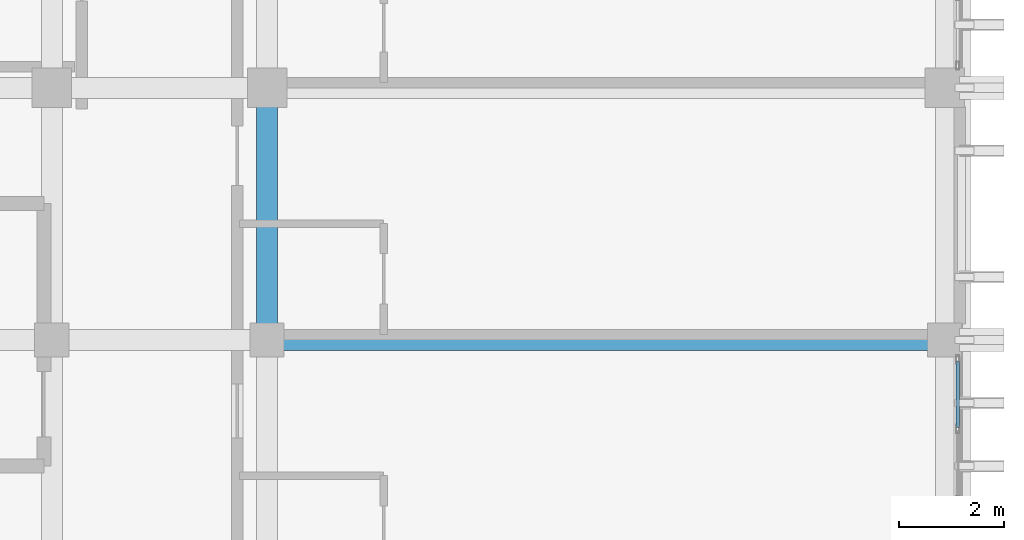
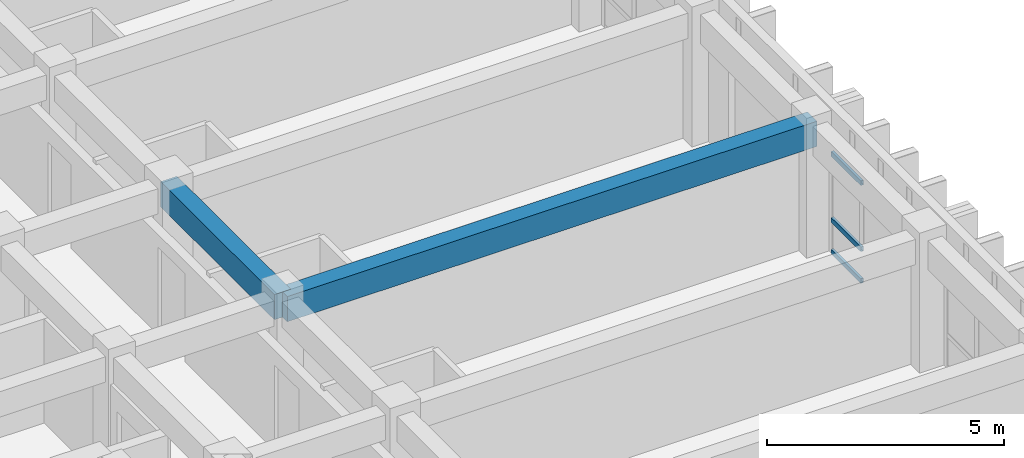
# One storey, part 31 of 64: 3 members, 2 beams, 1 element without a shape of its own.
"""IFC4 building model written with IfcOpenShell, lengths in metres."""

from ifc_helpers import new_model, si_unit, direction, frame, origin, origin_2d, place, context, subcontext, project, spatial, rectangle, hollow_rectangle, extrude, material, layer, layer_set, material_profile, profile_set, type_object, element, aggregate, save


model = new_model("IFC4")

# Units and contexts
model_context = context("Model", 3, precision=1e-05, world=origin(), true_north=direction((0.0, 1.0)))
body_context = subcontext(model_context, "Body", "Model", "MODEL_VIEW")
ifc_project = project(units=[si_unit("LENGTHUNIT", "METRE"), si_unit("AREAUNIT", "SQUARE_METRE"), si_unit("VOLUMEUNIT", "CUBIC_METRE"), si_unit("PLANEANGLEUNIT", "RADIAN"), si_unit("MASSUNIT", "GRAM", prefix="KILO")], contexts=[model_context])

# Site, building, storey
site_placement = place(None, origin())
site = spatial("IfcSite", under=ifc_project, at=site_placement, CompositionType="ELEMENT")
building_placement = place(site_placement, origin())
building = spatial("IfcBuilding", under=site, at=building_placement, Name="Nakhvara Creek Congress Hotel", CompositionType="ELEMENT")
storey_placement = place(building_placement, frame((0.0, 0.0, 28.199951171875)))
storey = spatial("IfcBuildingStorey", under=building, at=storey_placement, Name="L06", CompositionType="ELEMENT", Elevation=28.199951171875)

# Beams
ifc_material_1 = material(Name="Concrete C40/50", Category="concrete")
ifc_material_profile_1 = material_profile(ifc_material_1, rectangle(XDim=0.39990234375, YDim=0.64990234375, at=origin_2d()), Name="RC-BM 400x650", Category="LoadBearing")
ifc_profile_set_1 = profile_set([ifc_material_profile_1], Name="Concrete C40/50")
beam_type = type_object("IfcBeamType", Name="BM-RC-400X650", PredefinedType="BEAM", material=ifc_profile_set_1)
beam_1_placement = place(storey_placement, frame((166.449951171875, 91.199951171875, 3.01513671875), z_axis=(0.0, 1.0, 0.0), x_axis=(-1.0, 0.0, 0.0)))
element("IfcBeam", 1, at=beam_1_placement, inside=storey, type_object=beam_type, Name="Beam B06-L06-2265", PredefinedType="BEAM", context=body_context, shape_type="SweptSolid", body=[
    extrude(rectangle(XDim=0.39990234375, YDim=0.64990234375, at=origin_2d()), origin(), (0.0, 0.0, 1.0), 4.800048828125),
])
beam_2_placement = place(storey_placement, frame((166.449951171875, 91.199951171875, 3.01513671875), z_axis=(1.0, 0.0, 0.0), x_axis=(0.0, 1.0, 0.0)))
element("IfcBeam", 2, at=beam_2_placement, inside=storey, type_object=beam_type, Name="Beam B06-L06-2314", PredefinedType="BEAM", context=body_context, shape_type="SweptSolid", body=[
    extrude(rectangle(XDim=0.39990234375, YDim=0.64990234375, at=origin_2d()), origin(), (0.0, 0.0, 1.0), 12.900146484375),
])

# Curtain wall, members
ifc_material_2 = material(Name="Bronze-anodised aluminium AW-6063-T6 and double-silver low-E glass", Category="aluminium")
ifc_layer = layer(ifc_material_2, 0.199951171875)
ifc_layer_set = layer_set([ifc_layer], Name="Bronze-anodised aluminium AW-6063-T6 and double-silver low-E glass")
curtain_wall_type = type_object("IfcCurtainWallType", Name="CW-HTL-UNIT", PredefinedType="USERDEFINED", material=ifc_layer_set)
curtain_wall_placement = place(storey_placement, origin())
curtain_wall = element("IfcCurtainWall", 3, at=curtain_wall_placement, inside=storey, type_object=curtain_wall_type, Name="Curtain Wall CW243", ObjectType="UNITISED", PredefinedType="USERDEFINED")
ifc_material_3 = material(Name="Bronze-anodised aluminium AW-6063-T6", Category="aluminium")
ifc_material_profile_2 = material_profile(ifc_material_3, hollow_rectangle(XDim=0.06494140625, YDim=0.1201171875, WallThickness=0.00390625, at=origin_2d()), Name="ALU-TRAN 65x120x4", Category="LoadBearing")
ifc_profile_set_2 = profile_set([ifc_material_profile_2], Name="Bronze-anodised aluminium AW-6063-T6")
member_type = type_object("IfcMemberType", Name="CW-TRAN-120", PredefinedType="USERDEFINED", material=ifc_profile_set_2)
member_1_placement = place(storey_placement, frame((179.60009765625, 90.794921875, 0.032470703125), z_axis=(0.0, -1.0, 0.0), x_axis=(1.0, 0.0, 0.0)))
member_1 = element("IfcMember", 4, at=member_1_placement, type_object=member_type, Name="CW243 transom 1.1", ObjectType="TRANSOM", PredefinedType="USERDEFINED", context=body_context, shape_type="SweptSolid", body=[
    extrude(hollow_rectangle(XDim=0.06494140625, YDim=0.1201171875, WallThickness=0.00390625, at=origin_2d()), origin(), (0.0, 0.0, 1.0), 1.259033203125),
])
member_2_placement = place(storey_placement, frame((179.60009765625, 90.794921875, 0.85009765625), z_axis=(0.0, -1.0, 0.0), x_axis=(1.0, 0.0, 0.0)))
member_2 = element("IfcMember", 5, at=member_2_placement, type_object=member_type, Name="CW243 transom 1.2", ObjectType="TRANSOM", PredefinedType="USERDEFINED", context=body_context, shape_type="SweptSolid", body=[
    extrude(hollow_rectangle(XDim=0.06494140625, YDim=0.1201171875, WallThickness=0.00390625, at=origin_2d()), origin(), (0.0, 0.0, 1.0), 1.259033203125),
])
member_3_placement = place(storey_placement, frame((179.60009765625, 90.794921875, 2.549560546875), z_axis=(0.0, -1.0, 0.0), x_axis=(1.0, 0.0, 0.0)))
member_3 = element("IfcMember", 6, at=member_3_placement, type_object=member_type, Name="CW243 transom 1.3", ObjectType="TRANSOM", PredefinedType="USERDEFINED", context=body_context, shape_type="SweptSolid", body=[
    extrude(hollow_rectangle(XDim=0.06494140625, YDim=0.1201171875, WallThickness=0.00390625, at=origin_2d()), origin(), (0.0, 0.0, 1.0), 1.259033203125),
])
aggregate(curtain_wall, [member_1, member_2, member_3])

save(model, "model.ifc")
